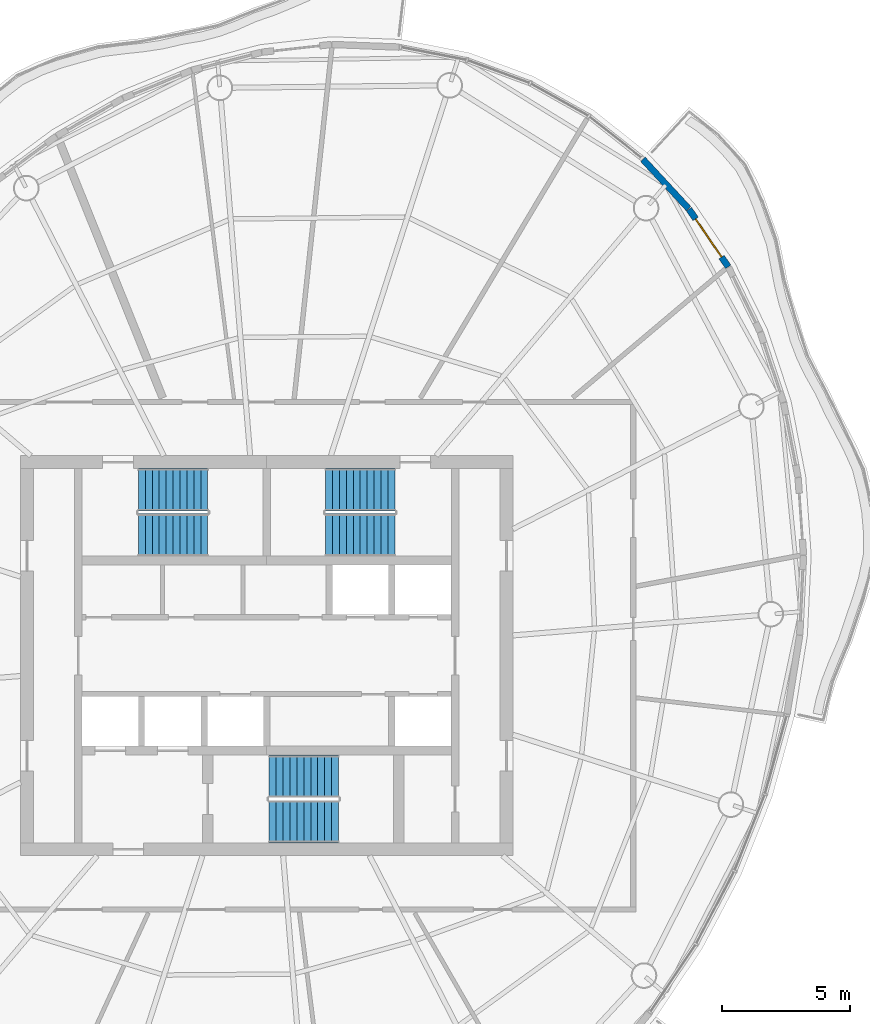
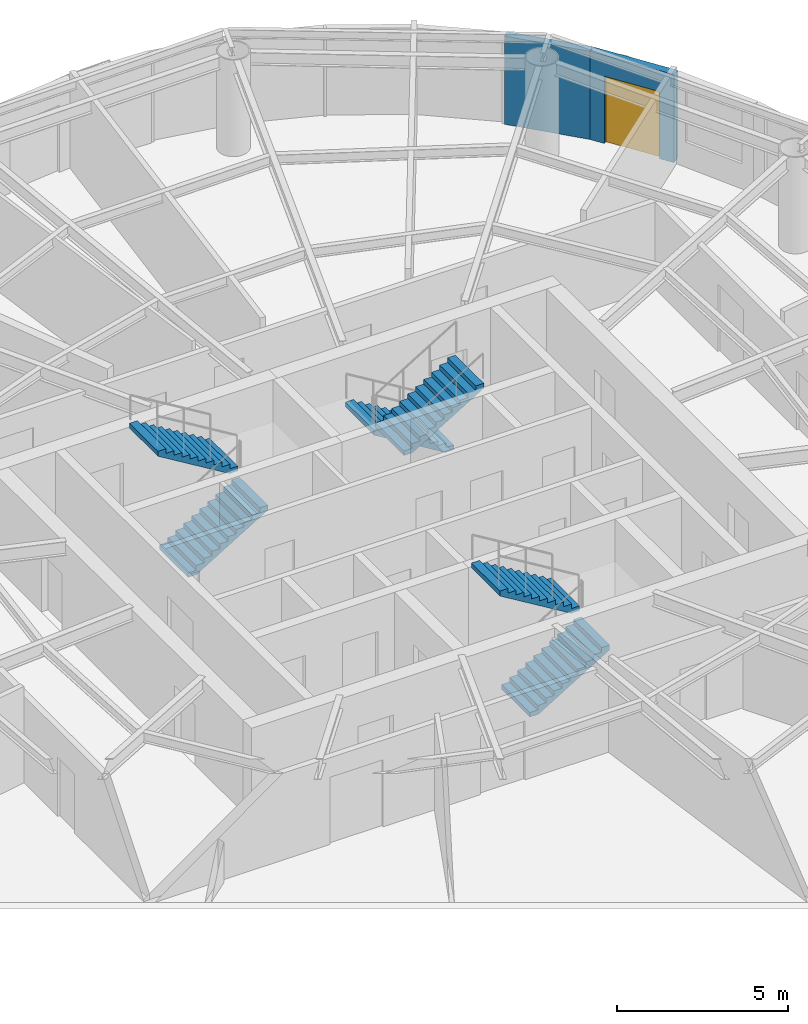
# One storey, part 10 of 13: 6 stair flights, 2 walls, 1 door, 1 opening, 3 elements without a shape of their own.
"""IFC4 building model written with IfcOpenShell, lengths in metres."""

import ifcopenshell
import ifcopenshell.guid

model = None  # the IFC model being written
_history = None  # IfcOwnerHistory: only IFC2X3 demands one
_inside = {}  # id of a spatial element -> (the spatial element, [elements in it])
_under = {}  # id of a project, library or spatial element -> (it, [spatial elements below it])
_declared = {}  # id of a project -> (the project, [libraries it declares])
_typed = {}  # id of a type object -> (the type object, [elements of that type])
_made_of = {}  # id of a material, layer set ... -> (it, [elements and type objects made of it])


def new_model(schema):
    """Start an empty IFC model of exactly this schema.

    Asked for "IFC4X3", IfcOpenShell would pick the latest addendum, in which some entities
    have other attributes; the version numbers below select the first issue.
    IFC2X3 requires an IfcOwnerHistory on every rooted entity: one is made here for all.
    """
    global model, _history
    if schema == "IFC4X3":
        model = ifcopenshell.file(schema_version=(4, 3, 0, 0))
    else:
        model = ifcopenshell.file(schema=schema)
    _inside.clear()
    _under.clear()
    _declared.clear()
    _typed.clear()
    _made_of.clear()
    _history = None
    if model.schema == "IFC2X3":
        org = make("IfcOrganization", Name="unknown")
        user = make(
            "IfcPersonAndOrganization",
            ThePerson=make("IfcPerson", FamilyName="unknown"),
            TheOrganization=org,
        )
        app = make(
            "IfcApplication",
            ApplicationDeveloper=org,
            Version="unknown",
            ApplicationFullName="unknown",
            ApplicationIdentifier="unknown",
        )
        _history = make(
            "IfcOwnerHistory",
            OwningUser=user,
            OwningApplication=app,
            ChangeAction="ADDED",
            CreationDate=0,
        )
    return model


def make(cls, **values):
    """One entity of the class cls with the attributes given. An attribute that is None is left unset."""
    return model.create_entity(
        cls, **{name: value for name, value in values.items() if value is not None}
    )


def rooted(cls, **values):
    """An entity with a GlobalId (a new one), such as an element, a storey or a relation."""
    return make(cls, GlobalId=ifcopenshell.guid.new(), OwnerHistory=_history, **values)


def si_unit(unit_type, name, prefix=None):
    """IfcSIUnit, for example si_unit("LENGTHUNIT", "METRE", prefix="MILLI")."""
    return make("IfcSIUnit", UnitType=unit_type, Prefix=prefix, Name=name)


def assignment(units):
    """IfcUnitAssignment: the units of a project."""
    return None if units is None else make("IfcUnitAssignment", Units=units)


def point(xyz):
    """IfcCartesianPoint."""
    return None if xyz is None else make("IfcCartesianPoint", Coordinates=xyz)


def direction(xyz):
    """IfcDirection."""
    return None if xyz is None else make("IfcDirection", DirectionRatios=xyz)


def frame(location, z_axis=None, x_axis=None):
    """IfcAxis2Placement3D, a coordinate frame: its origin and axes. An axis left out is left unset."""
    return make(
        "IfcAxis2Placement3D",
        Location=point(location),
        Axis=direction(z_axis),
        RefDirection=direction(x_axis),
    )


def frame_2d(location, x_axis=None):
    """IfcAxis2Placement2D, a coordinate frame in the plane: its origin and x axis."""
    return make(
        "IfcAxis2Placement2D", Location=point(location), RefDirection=direction(x_axis)
    )


def origin():
    """The frame at (0, 0, 0) with its axes left unset."""
    return frame((0.0, 0.0, 0.0))


def place(relative_to, where):
    """IfcLocalPlacement: puts the frame where relative to a parent placement (None: the world)."""
    return make(
        "IfcLocalPlacement", PlacementRelTo=relative_to, RelativePlacement=where
    )


def context(
    kind, dimensions, precision=None, world=None, true_north=None, identifier=None
):
    """IfcGeometricRepresentationContext, for example the 3D "Model" context."""
    return make(
        "IfcGeometricRepresentationContext",
        ContextIdentifier=identifier,
        ContextType=kind,
        CoordinateSpaceDimension=dimensions,
        Precision=precision,
        WorldCoordinateSystem=world,
        TrueNorth=true_north,
    )


def subcontext(parent, identifier, kind, view, scale=None):
    """IfcGeometricRepresentationSubContext, for example "Body" below "Model"."""
    return make(
        "IfcGeometricRepresentationSubContext",
        ContextIdentifier=identifier,
        ContextType=kind,
        ParentContext=parent,
        TargetScale=scale,
        TargetView=view,
    )


def project(units=None, contexts=None):
    """IfcProject with its units and contexts."""
    return rooted(
        "IfcProject",
        Name="project",
        RepresentationContexts=contexts,
        UnitsInContext=assignment(units),
    )


def spatial(cls, under=None, at=None, **own):
    """A site, building, storey or space (cls), placed at a placement, below another one or the project."""
    s = rooted(cls, ObjectPlacement=at, **own)
    if under is not None:
        _under.setdefault(under.id(), (under, []))[1].append(s)
    return s


def polyline(points):
    """IfcPolyline through the points."""
    return make("IfcPolyline", Points=[point(p) for p in points])


def profile(cls, at=None, kind="AREA", **sizes):
    """A parametric profile (cls). Its sizes go by their IFC names, for example OverallWidth=200.0."""
    return make(cls, ProfileType=kind, Position=at, **sizes)


def rectangle(**sizes):
    """IfcRectangleProfileDef."""
    return profile("IfcRectangleProfileDef", **sizes)


def outline(outer, holes=None, kind="AREA"):
    """IfcArbitraryClosedProfileDef: a profile drawn as a closed curve; with holes, ...WithVoids."""
    if holes is None:
        return make("IfcArbitraryClosedProfileDef", ProfileType=kind, OuterCurve=outer)
    return make(
        "IfcArbitraryProfileDefWithVoids",
        ProfileType=kind,
        OuterCurve=outer,
        InnerCurves=holes,
    )


def extrude(swept, where, along, depth):
    """IfcExtrudedAreaSolid: the profile swept, set in the frame where, extruded along a direction by depth."""
    return make(
        "IfcExtrudedAreaSolid",
        SweptArea=swept,
        Position=where,
        ExtrudedDirection=direction(along),
        Depth=depth,
    )


def shape(context_of_items, identifier, shape_type, items):
    """IfcShapeRepresentation: the items that make up one representation, for example the "Body"."""
    return make(
        "IfcShapeRepresentation",
        ContextOfItems=context_of_items,
        RepresentationIdentifier=identifier,
        RepresentationType=shape_type,
        Items=items,
    )


def material(Name=None, Category=None):
    """IfcMaterial."""
    return make("IfcMaterial", Name=Name, Category=Category)


def layer(
    of_material, thickness, ventilated=None, Name=None, Category=None, Priority=None
):
    """IfcMaterialLayer: one layer of a wall or slab, of a material (None: an air gap)."""
    return make(
        "IfcMaterialLayer",
        Material=of_material,
        LayerThickness=thickness,
        IsVentilated=ventilated,
        Name=Name,
        Category=Category,
        Priority=Priority,
    )


def layer_set(layers, Name=None):
    """IfcMaterialLayerSet."""
    return make("IfcMaterialLayerSet", MaterialLayers=layers, LayerSetName=Name)


def made_of(thing, what):
    """Note that an element or type object is made of a material, layer set ...; save() writes the relation."""
    if what is not None:
        _made_of.setdefault(what.id(), (what, []))[1].append(thing)
    return thing


def type_object(cls, material=None, **own):
    """A type object (cls), such as IfcWallType, which elements share."""
    return made_of(rooted(cls, **own), material)


def element(
    cls,
    number,
    at=None,
    inside=None,
    cuts=None,
    type_object=None,
    material=None,
    context=None,
    identifier="Body",
    shape_type=None,
    held_by="IfcProductDefinitionShape",
    body=None,
    shapes=None,
    **own,
):
    """One element of the class cls, such as IfcWall. Its Tag is "e" and its number.

    at: its placement. inside: the storey or other place that contains it. cuts: it is an
    opening in that element (IfcRelVoidsElement). A single representation is given by context,
    identifier, shape_type and body (its items); several are given by shapes. held_by: the class
    of the entity that holds the representations. save() writes the other relations.
    """
    e = rooted(cls, Tag="e%d" % number, ObjectPlacement=at, **own)
    if body is not None:
        shapes = [shape(context, identifier, shape_type, body)]
    if shapes is not None:
        e.Representation = make(held_by, Representations=shapes)
    if inside is not None:
        _inside.setdefault(inside.id(), (inside, []))[1].append(e)
    if cuts is not None:
        rooted(
            "IfcRelVoidsElement", RelatingBuildingElement=cuts, RelatedOpeningElement=e
        )
    if type_object is not None:
        _typed.setdefault(type_object.id(), (type_object, []))[1].append(e)
    return made_of(e, material)


def fill(opening, filler):
    """IfcRelFillsElement: the door or window that sits in an opening."""
    return rooted(
        "IfcRelFillsElement",
        RelatingOpeningElement=opening,
        RelatedBuildingElement=filler,
    )


def aggregate(whole, parts):
    """IfcRelAggregates: a whole, such as a stair, and the parts it consists of."""
    return rooted("IfcRelAggregates", RelatingObject=whole, RelatedObjects=parts)


def save(model, path):
    """Write the relations noted so far, then the file.

    IfcRelAggregates (storeys below a building ...), IfcRelContainedInSpatialStructure (elements
    in a storey), IfcRelDefinesByType, IfcRelAssociatesMaterial and IfcRelDeclares: one each for
    every whole, place, type object, material and project.
    """
    for whole, parts in _under.values():
        aggregate(whole, parts)
    for where, things in _inside.values():
        rooted(
            "IfcRelContainedInSpatialStructure",
            RelatedElements=things,
            RelatingStructure=where,
        )
    for kind, things in _typed.values():
        rooted("IfcRelDefinesByType", RelatedObjects=things, RelatingType=kind)
    for what, things in _made_of.values():
        rooted("IfcRelAssociatesMaterial", RelatedObjects=things, RelatingMaterial=what)
    for by, libraries in _declared.values():
        rooted("IfcRelDeclares", RelatingContext=by, RelatedDefinitions=libraries)
    model.write(path)


model = new_model("IFC4")

# Units and contexts
model_context = context("Model", 3, precision=1e-05, world=origin(), true_north=direction((0.0, 1.0)))
body_context = subcontext(model_context, "Body", "Model", "MODEL_VIEW")
ifc_project = project(units=[si_unit("LENGTHUNIT", "METRE"), si_unit("AREAUNIT", "SQUARE_METRE"), si_unit("VOLUMEUNIT", "CUBIC_METRE"), si_unit("PLANEANGLEUNIT", "RADIAN"), si_unit("MASSUNIT", "GRAM", prefix="KILO")], contexts=[model_context])

# Site, building, storey
site_placement = place(None, origin())
site = spatial("IfcSite", under=ifc_project, at=site_placement, CompositionType="ELEMENT")
building_placement = place(site_placement, origin())
building = spatial("IfcBuilding", under=site, at=building_placement, Name="Vermilion Reach Broadcast Tower", CompositionType="ELEMENT")
storey_placement = place(building_placement, frame((0.0, 0.0, 293.699951171875)))
storey = spatial("IfcBuildingStorey", under=building, at=storey_placement, Name="L73", CompositionType="ELEMENT", Elevation=293.699951171875)

# Wall, opening, door
ifc_material_1 = material(Name="Terracotta rainscreen cladding", Category="masonry")
ifc_layer = layer(ifc_material_1, 0.25)
ifc_layer_set = layer_set([ifc_layer], Name="Terracotta rainscreen wall 250")
wall_type = type_object("IfcWallType", Name="Terracotta rainscreen wall 250", PredefinedType="SOLIDWALL", material=ifc_layer_set)
wall_1_placement = place(storey_placement, frame((12.0029296875, 15.1689453125, 0.0), z_axis=(0.0, 0.0, 1.0), x_axis=(-0.562624043307, 0.826712879961, 0.0)))
wall_1 = element("IfcWall", 1, at=wall_1_placement, inside=storey, type_object=wall_type, Name="External wall L73 44", PredefinedType="SOLIDWALL", context=body_context, shape_type="SweptSolid", body=[
    extrude(rectangle(XDim=2.7216796875, YDim=0.25, at=frame_2d((1.36083984375, 0.0))), origin(), (0.0, 0.0, 1.0), 3.150146484375),
])
opening_placement = place(wall_1_placement, frame((0.4609375, 0.0, 0.0)))
opening = element("IfcOpeningElement", 2, at=opening_placement, cuts=wall_1, Name="Opening D70", PredefinedType="OPENING", context=body_context, shape_type="SweptSolid", body=[
    extrude(rectangle(XDim=1.800048828125, YDim=2.39990234375, at=frame_2d((0.89990234375, 1.199951171875))), frame((0.0, 0.135009765625, 0.0), z_axis=(0.0, -1.0, 0.0), x_axis=(1.0, 0.0, 0.0)), (0.0, 0.0, 1.0), 0.27001953125),
])
ifc_material_2 = material(Name="Low-e laminated clear glass in aluminium frame", Category="aluminium")
door_type = type_object("IfcDoorType", Name="Balcony sliding door 1800 x 2400", OperationType="DOUBLE_DOOR_SLIDING", PredefinedType="DOOR", material=ifc_material_2)
door_placement = place(opening_placement, origin())
door = element("IfcDoor", 3, at=door_placement, inside=storey, type_object=door_type, Name="Balcony door L73 run 11", OperationType="DOUBLE_DOOR_SLIDING", OverallHeight=2.39990234375, OverallWidth=1.800048828125, PredefinedType="DOOR", context=body_context, shape_type="SweptSolid", body=[
    extrude(rectangle(XDim=1.800048828125, YDim=2.39990234375, at=frame_2d((0.89990234375, 1.199951171875))), frame((0.0, 0.02490234375, 0.0), z_axis=(0.0, -1.0, 0.0), x_axis=(1.0, 0.0, 0.0)), (0.0, 0.0, 1.0), 0.050048828125),
])
fill(opening, door)

# Wall
wall_2_placement = place(storey_placement, frame((10.455078125, 17.439697265625, 0.0), z_axis=(0.0, 0.0, 1.0), x_axis=(-0.679173817971, 0.733977468989, 0.0)))
element("IfcWall", 4, at=wall_2_placement, inside=storey, type_object=wall_type, Name="External wall L73 45", PredefinedType="SOLIDWALL", context=body_context, shape_type="SweptSolid", body=[
    extrude(rectangle(XDim=2.619384765625, YDim=0.25, at=frame_2d((1.3095703125, 0.0))), origin(), (0.0, 0.0, 1.0), 3.150146484375),
])

# Stair, stair flights
ifc_material_3 = material(Name="Concrete C40", Category="concrete")
stair_type = type_object("IfcStairType", Name="Exit stair RC 22 risers 164 mm", PredefinedType="HALF_TURN_STAIR", material=ifc_material_3)
placement = place(storey_placement, origin())
stair_1 = element("IfcStair", 5, at=placement, inside=storey, type_object=stair_type, Name="L73 Exit stair ST1", PredefinedType="HALF_TURN_STAIR")
ifc_material_4 = material(Name="Concrete C40", Category="concrete")
stair_flight_type = type_object("IfcStairFlightType", Name="Exit stair flight RC 11 risers", PredefinedType="STRAIGHT", material=ifc_material_4)
stair_flight_1_placement = place(storey_placement, frame((-11.0, 4.7099609375, 0.0), z_axis=(0.0, 0.0, 1.0), x_axis=(1.0, 0.0, 0.0)))
stair_flight_1 = element("IfcStairFlight", 6, at=stair_flight_1_placement, type_object=stair_flight_type, Name="ST1 flight 1", NumberOfRisers=11, NumberOfTreads=10, PredefinedType="STRAIGHT", RiserHeight=0.163636364, TreadLength=0.27, context=body_context, shape_type="SweptSolid", body=[
    extrude(outline(polyline([(0.0, 0.0), (0.0, 0.16357421875), (0.27001953125, 0.16357421875), (0.27001953125, 0.327392578125), (0.5400390625, 0.327392578125), (0.5400390625, 0.490966796875), (0.81005859375, 0.490966796875), (0.81005859375, 0.654541015625), (1.080078125, 0.654541015625), (1.080078125, 0.818115234375), (1.35009765625, 0.818115234375), (1.35009765625, 0.98193359375), (1.6201171875, 0.98193359375), (1.6201171875, 1.1455078125), (1.889892578125, 1.1455078125), (1.889892578125, 1.30908203125), (2.159912109375, 1.30908203125), (2.159912109375, 1.47265625), (2.429931640625, 1.47265625), (2.429931640625, 1.636474609375), (2.699951171875, 1.636474609375), (2.699951171875, 1.800048828125), (2.699951171875, 1.461181640625), (0.289306640625, 0.0), (0.0, 0.0)])), frame((0.0, 0.830078125, 0.0), z_axis=(0.0, -1.0, 0.0), x_axis=(1.0, 0.0, 0.0)), (0.0, 0.0, 1.0), 1.659912109375),
])
stair_flight_2_placement = place(storey_placement, frame((-8.300048828125, 6.469970703125, 1.800048828125), z_axis=(0.0, 0.0, 1.0), x_axis=(-1.0, 0.0, 0.0)))
stair_flight_2 = element("IfcStairFlight", 7, at=stair_flight_2_placement, type_object=stair_flight_type, Name="ST1 flight 2", NumberOfRisers=11, NumberOfTreads=10, PredefinedType="STRAIGHT", RiserHeight=0.163636364, TreadLength=0.27, context=body_context, shape_type="SweptSolid", body=[
    extrude(outline(polyline([(0.0, 0.0), (0.0, 0.16357421875), (0.27001953125, 0.16357421875), (0.27001953125, 0.327392578125), (0.5400390625, 0.327392578125), (0.5400390625, 0.490966796875), (0.81005859375, 0.490966796875), (0.81005859375, 0.654541015625), (1.080078125, 0.654541015625), (1.080078125, 0.818115234375), (1.35009765625, 0.818115234375), (1.35009765625, 0.98193359375), (1.6201171875, 0.98193359375), (1.6201171875, 1.1455078125), (1.889892578125, 1.1455078125), (1.889892578125, 1.30908203125), (2.159912109375, 1.30908203125), (2.159912109375, 1.47265625), (2.429931640625, 1.47265625), (2.429931640625, 1.636474609375), (2.699951171875, 1.636474609375), (2.699951171875, 1.800048828125), (2.699951171875, 1.461181640625), (0.289306640625, 0.0), (0.0, 0.0)])), frame((0.0, 0.830078125, 0.0), z_axis=(0.0, -1.0, 0.0), x_axis=(1.0, 0.0, 0.0)), (0.0, 0.0, 1.0), 1.659912109375),
])
aggregate(stair_1, [stair_flight_1, stair_flight_2])

stair_2 = element("IfcStair", 8, at=placement, inside=storey, type_object=stair_type, Name="L73 Exit stair ST2", PredefinedType="HALF_TURN_STAIR")
stair_flight_3_placement = place(storey_placement, frame((-1.0, 6.469970703125, 0.0), z_axis=(0.0, 0.0, 1.0), x_axis=(-1.0, 0.0, 0.0)))
stair_flight_3 = element("IfcStairFlight", 9, at=stair_flight_3_placement, type_object=stair_flight_type, Name="ST2 flight 1", NumberOfRisers=11, NumberOfTreads=10, PredefinedType="STRAIGHT", RiserHeight=0.163636364, TreadLength=0.27, context=body_context, shape_type="SweptSolid", body=[
    extrude(outline(polyline([(0.0, 0.0), (0.0, 0.16357421875), (0.27001953125, 0.16357421875), (0.27001953125, 0.327392578125), (0.5400390625, 0.327392578125), (0.5400390625, 0.490966796875), (0.81005859375, 0.490966796875), (0.81005859375, 0.654541015625), (1.080078125, 0.654541015625), (1.080078125, 0.818115234375), (1.35009765625, 0.818115234375), (1.35009765625, 0.98193359375), (1.6201171875, 0.98193359375), (1.6201171875, 1.1455078125), (1.889892578125, 1.1455078125), (1.889892578125, 1.30908203125), (2.159912109375, 1.30908203125), (2.159912109375, 1.47265625), (2.429931640625, 1.47265625), (2.429931640625, 1.636474609375), (2.699951171875, 1.636474609375), (2.699951171875, 1.800048828125), (2.699951171875, 1.461181640625), (0.289306640625, 0.0), (0.0, 0.0)])), frame((0.0, 0.830078125, 0.0), z_axis=(0.0, -1.0, 0.0), x_axis=(1.0, 0.0, 0.0)), (0.0, 0.0, 1.0), 1.659912109375),
])
stair_flight_4_placement = place(storey_placement, frame((-3.699951171875, 4.7099609375, 1.800048828125), z_axis=(0.0, 0.0, 1.0), x_axis=(1.0, 0.0, 0.0)))
stair_flight_4 = element("IfcStairFlight", 10, at=stair_flight_4_placement, type_object=stair_flight_type, Name="ST2 flight 2", NumberOfRisers=11, NumberOfTreads=10, PredefinedType="STRAIGHT", RiserHeight=0.163636364, TreadLength=0.27, context=body_context, shape_type="SweptSolid", body=[
    extrude(outline(polyline([(0.0, 0.0), (0.0, 0.16357421875), (0.27001953125, 0.16357421875), (0.27001953125, 0.327392578125), (0.5400390625, 0.327392578125), (0.5400390625, 0.490966796875), (0.81005859375, 0.490966796875), (0.81005859375, 0.654541015625), (1.080078125, 0.654541015625), (1.080078125, 0.818115234375), (1.35009765625, 0.818115234375), (1.35009765625, 0.98193359375), (1.6201171875, 0.98193359375), (1.6201171875, 1.1455078125), (1.889892578125, 1.1455078125), (1.889892578125, 1.30908203125), (2.159912109375, 1.30908203125), (2.159912109375, 1.47265625), (2.429931640625, 1.47265625), (2.429931640625, 1.636474609375), (2.699951171875, 1.636474609375), (2.699951171875, 1.800048828125), (2.699951171875, 1.461181640625), (0.289306640625, 0.0), (0.0, 0.0)])), frame((0.0, 0.830078125, 0.0), z_axis=(0.0, -1.0, 0.0), x_axis=(1.0, 0.0, 0.0)), (0.0, 0.0, 1.0), 1.659912109375),
])
aggregate(stair_2, [stair_flight_3, stair_flight_4])

stair_3 = element("IfcStair", 11, at=placement, inside=storey, type_object=stair_type, Name="L73 Exit stair ST3", PredefinedType="HALF_TURN_STAIR")
stair_flight_5_placement = place(storey_placement, frame((-5.89990234375, -6.469970703125, 0.0), z_axis=(0.0, 0.0, 1.0), x_axis=(1.0, 0.0, 0.0)))
stair_flight_5 = element("IfcStairFlight", 12, at=stair_flight_5_placement, type_object=stair_flight_type, Name="ST3 flight 1", NumberOfRisers=11, NumberOfTreads=10, PredefinedType="STRAIGHT", RiserHeight=0.163636364, TreadLength=0.27, context=body_context, shape_type="SweptSolid", body=[
    extrude(outline(polyline([(0.0, 0.0), (0.0, 0.16357421875), (0.27001953125, 0.16357421875), (0.27001953125, 0.327392578125), (0.5400390625, 0.327392578125), (0.5400390625, 0.490966796875), (0.81005859375, 0.490966796875), (0.81005859375, 0.654541015625), (1.080078125, 0.654541015625), (1.080078125, 0.818115234375), (1.35009765625, 0.818115234375), (1.35009765625, 0.98193359375), (1.6201171875, 0.98193359375), (1.6201171875, 1.1455078125), (1.889892578125, 1.1455078125), (1.889892578125, 1.30908203125), (2.159912109375, 1.30908203125), (2.159912109375, 1.47265625), (2.429931640625, 1.47265625), (2.429931640625, 1.636474609375), (2.699951171875, 1.636474609375), (2.699951171875, 1.800048828125), (2.699951171875, 1.461181640625), (0.289306640625, 0.0), (0.0, 0.0)])), frame((0.0, 0.830078125, 0.0), z_axis=(0.0, -1.0, 0.0), x_axis=(1.0, 0.0, 0.0)), (0.0, 0.0, 1.0), 1.659912109375),
])
stair_flight_6_placement = place(storey_placement, frame((-3.199951171875, -4.7099609375, 1.800048828125), z_axis=(0.0, 0.0, 1.0), x_axis=(-1.0, 0.0, 0.0)))
stair_flight_6 = element("IfcStairFlight", 13, at=stair_flight_6_placement, type_object=stair_flight_type, Name="ST3 flight 2", NumberOfRisers=11, NumberOfTreads=10, PredefinedType="STRAIGHT", RiserHeight=0.163636364, TreadLength=0.27, context=body_context, shape_type="SweptSolid", body=[
    extrude(outline(polyline([(0.0, 0.0), (0.0, 0.16357421875), (0.27001953125, 0.16357421875), (0.27001953125, 0.327392578125), (0.5400390625, 0.327392578125), (0.5400390625, 0.490966796875), (0.81005859375, 0.490966796875), (0.81005859375, 0.654541015625), (1.080078125, 0.654541015625), (1.080078125, 0.818115234375), (1.35009765625, 0.818115234375), (1.35009765625, 0.98193359375), (1.6201171875, 0.98193359375), (1.6201171875, 1.1455078125), (1.889892578125, 1.1455078125), (1.889892578125, 1.30908203125), (2.159912109375, 1.30908203125), (2.159912109375, 1.47265625), (2.429931640625, 1.47265625), (2.429931640625, 1.636474609375), (2.699951171875, 1.636474609375), (2.699951171875, 1.800048828125), (2.699951171875, 1.461181640625), (0.289306640625, 0.0), (0.0, 0.0)])), frame((0.0, 0.830078125, 0.0), z_axis=(0.0, -1.0, 0.0), x_axis=(1.0, 0.0, 0.0)), (0.0, 0.0, 1.0), 1.659912109375),
])
aggregate(stair_3, [stair_flight_5, stair_flight_6])

save(model, "model.ifc")
